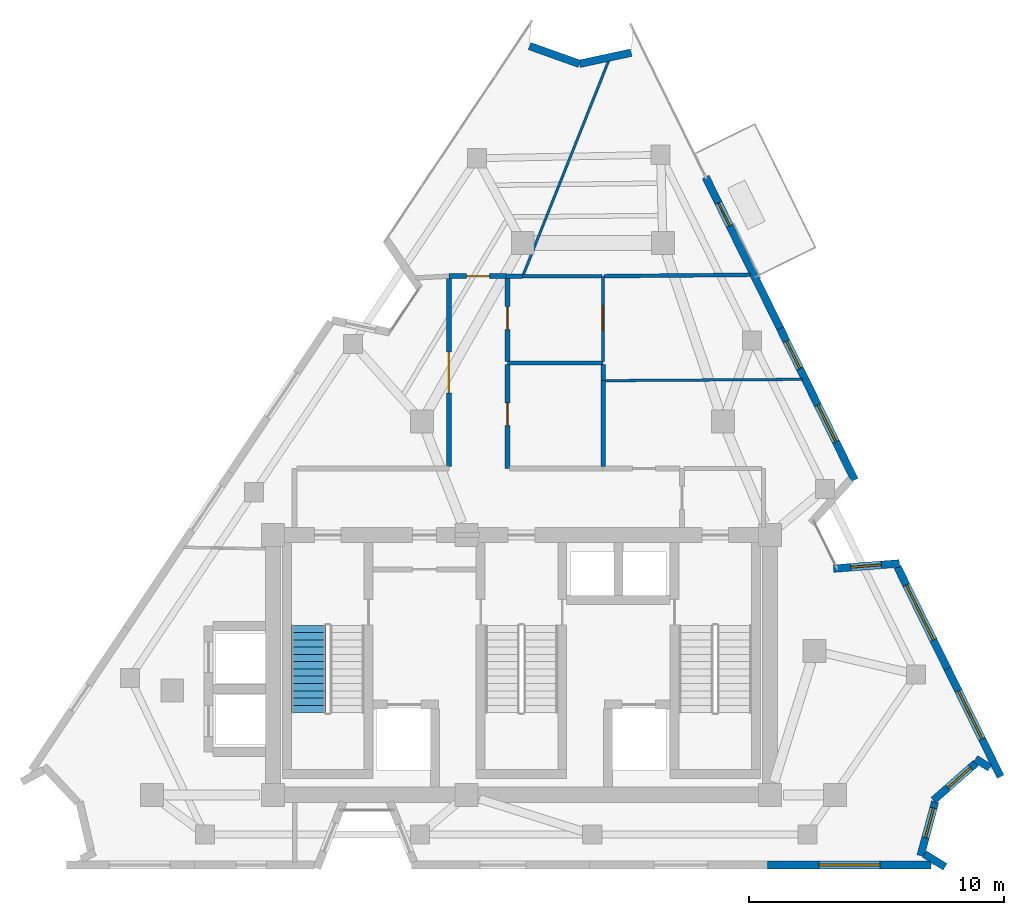
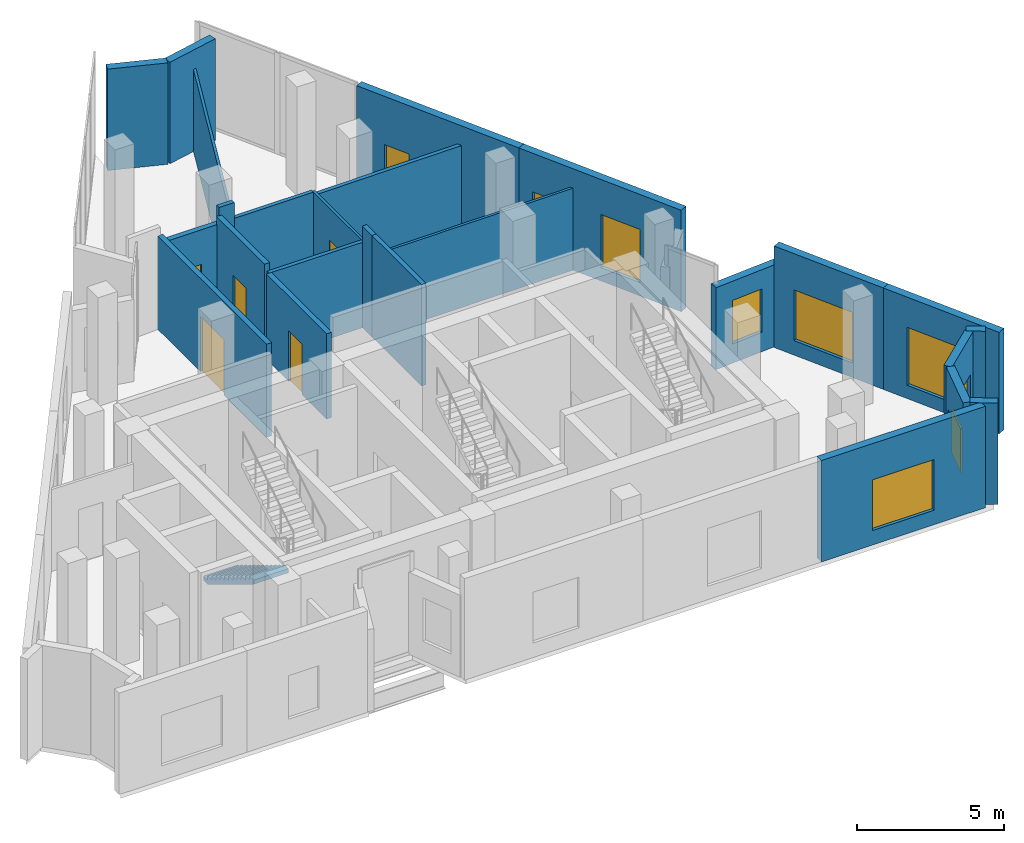
# One storey, part 7 of 9: 25 walls, 8 windows, 6 doors, 1 stair flight, 14 openings, 1 element without a shape of its own.
"""IFC4 building model written with IfcOpenShell, lengths in metres."""

from ifc_helpers import new_model, si_unit, direction, frame, frame_2d, origin, place, context, subcontext, project, spatial, polyline, rectangle, outline, extrude, material, layer, layer_set, type_object, element, fill, aggregate, save


model = new_model("IFC4")

# Units and contexts
model_context = context("Model", 3, precision=1e-05, world=origin(), true_north=direction((0.0, 1.0)))
body_context = subcontext(model_context, "Body", "Model", "MODEL_VIEW")
ifc_project = project(units=[si_unit("LENGTHUNIT", "METRE"), si_unit("AREAUNIT", "SQUARE_METRE"), si_unit("VOLUMEUNIT", "CUBIC_METRE"), si_unit("PLANEANGLEUNIT", "RADIAN"), si_unit("MASSUNIT", "GRAM", prefix="KILO")], contexts=[model_context])

# Site, building, storey
site_placement = place(None, origin())
site = spatial("IfcSite", under=ifc_project, at=site_placement, CompositionType="ELEMENT")
building_placement = place(site_placement, origin())
building = spatial("IfcBuilding", under=site, at=building_placement, Name="Almagre Mirador Tower", CompositionType="ELEMENT")
storey_placement = place(building_placement, frame((0.0, 0.0, 289.5)))
storey = spatial("IfcBuildingStorey", under=building, at=storey_placement, Name="L75", CompositionType="ELEMENT", Elevation=289.5)

# Walls
ifc_material_1 = material(Name="Precast concrete C50/60", Category="concrete")
ifc_layer_1 = layer(ifc_material_1, 0.300048828125)
ifc_layer_set_1 = layer_set([ifc_layer_1], Name="Precast concrete C50/60")
wall_type_1 = type_object("IfcWallType", Name="WAL-EXT-300", PredefinedType="SOLIDWALL", material=ifc_layer_set_1)
wall_1_placement = place(storey_placement, frame((37.616943359375, 33.929931640625, 0.0), z_axis=(0.0, 0.0, 1.0), x_axis=(0.941683396202, -0.336500195123, 0.0)))
element("IfcWall", 1, at=wall_1_placement, inside=storey, type_object=wall_type_1, Name="L75 expressed almagre precast frame wall 03", PredefinedType="SOLIDWALL", context=body_context, shape_type="SweptSolid", body=[
    extrude(rectangle(XDim=2.0771484375, YDim=0.300048828125, at=frame_2d((1.03857421875, 0.0))), origin(), (0.0, 0.0, 1.0), 4.199951171875),
])
wall_2_placement = place(storey_placement, frame((39.572998046875, 33.23095703125, 0.0), z_axis=(0.0, 0.0, 1.0), x_axis=(0.977604114456, 0.210452358975, 0.0)))
element("IfcWall", 2, at=wall_2_placement, inside=storey, type_object=wall_type_1, Name="L75 expressed almagre precast frame wall 04", PredefinedType="SOLIDWALL", context=body_context, shape_type="SweptSolid", body=[
    extrude(rectangle(XDim=2.076416015625, YDim=0.300048828125, at=frame_2d((1.0380859375, 0.0))), origin(), (0.0, 0.0, 1.0), 4.199951171875),
])

# Wall, opening, door
wall_3_placement = place(storey_placement, frame((44.5263671875, 28.79248046875, 0.0), z_axis=(0.0, 0.0, 1.0), x_axis=(0.441321601589, -0.89734900901, 0.0)))
wall_3 = element("IfcWall", 3, at=wall_3_placement, inside=storey, type_object=wall_type_1, Name="L75 expressed almagre precast frame wall 05", PredefinedType="SOLIDWALL", context=body_context, shape_type="SweptSolid", body=[
    extrude(rectangle(XDim=6.6240234375, YDim=0.300048828125, at=frame_2d((3.31201171875, 0.0))), origin(), (0.0, 0.0, 1.0), 4.199951171875),
])
opening_1_placement = place(wall_3_placement, frame((1.134765625, 0.0, 0.0)))
opening_1 = element("IfcOpeningElement", 4, at=opening_1_placement, cuts=wall_3, Name="Opening BD-01", PredefinedType="OPENING", context=body_context, shape_type="SweptSolid", body=[
    extrude(rectangle(XDim=1.0, YDim=2.199951171875, at=frame_2d((0.5, 1.10009765625))), frame((0.0, 0.159902, 0.0), z_axis=(0.0, -1.0, 0.0), x_axis=(1.0, 0.0, 0.0)), (0.0, 0.0, 1.0), 0.320049),
])
ifc_material_2 = material(Name="Black anodized aluminium and laminated glass", Category="aluminium")
door_type_1 = type_object("IfcDoorType", Name="DOR-BAL-1000X2200", OperationType="NOTDEFINED", PredefinedType="DOOR", material=ifc_material_2)
door_1_placement = place(opening_1_placement, origin())
door_1 = element("IfcDoor", 5, at=door_1_placement, inside=storey, type_object=door_type_1, Name="DR-2236 L75 east balcony glazed door 1", OperationType="SINGLE_SWING_LEFT", OverallHeight=2.199951171875, OverallWidth=1.0, PredefinedType="DOOR", context=body_context, shape_type="SweptSolid", body=[
    extrude(rectangle(XDim=1.0, YDim=2.199951171875, at=frame_2d((0.5, 1.10009765625))), frame((0.0, 0.02490234375, 0.0), z_axis=(0.0, -1.0, 0.0), x_axis=(1.0, 0.0, 0.0)), (0.0, 0.0, 1.0), 0.050048828125),
])
fill(opening_1, door_1)

# Wall, openings, windows
wall_4_placement = place(storey_placement, frame((47.44970703125, 22.848388671875, 0.0), z_axis=(0.0, 0.0, 1.0), x_axis=(0.441291922586, -0.897363604711, 0.0)))
wall_4 = element("IfcWall", 6, at=wall_4_placement, inside=storey, type_object=wall_type_1, Name="L75 expressed almagre precast frame wall 06", PredefinedType="SOLIDWALL", context=body_context, shape_type="SweptSolid", body=[
    extrude(rectangle(XDim=6.6240234375, YDim=0.300048828125, at=frame_2d((3.31201171875, 0.0))), origin(), (0.0, 0.0, 1.0), 4.199951171875),
])
opening_2_placement = place(wall_4_placement, frame((0.550048828125, 0.0, 0.800048828125)))
opening_2 = element("IfcOpeningElement", 7, at=opening_2_placement, cuts=wall_4, Name="Opening WN-04", PredefinedType="OPENING", context=body_context, shape_type="SweptSolid", body=[
    extrude(rectangle(XDim=1.199951171875, YDim=1.800048828125, at=frame_2d((0.60009765625, 0.89990234375))), frame((0.0, 0.159902, 0.0), z_axis=(0.0, -1.0, 0.0), x_axis=(1.0, 0.0, 0.0)), (0.0, 0.0, 1.0), 0.320049),
])
opening_3_placement = place(wall_4_placement, frame((3.35009765625, 0.0, 0.550048828125)))
opening_3 = element("IfcOpeningElement", 8, at=opening_3_placement, cuts=wall_4, Name="Opening WN-06", PredefinedType="OPENING", context=body_context, shape_type="SweptSolid", body=[
    extrude(rectangle(XDim=1.60009765625, YDim=2.199951171875, at=frame_2d((0.800048828125, 1.10009765625))), frame((0.0, 0.159902, 0.0), z_axis=(0.0, -1.0, 0.0), x_axis=(1.0, 0.0, 0.0)), (0.0, 0.0, 1.0), 0.320049),
])
ifc_material_3 = material(Name="Dark solar-control laminated hurricane glass", Category="glass")
window_type_1 = type_object("IfcWindowType", Name="WIN-1200X1800", PartitioningType="SINGLE_PANEL", PredefinedType="WINDOW", material=ifc_material_3)
window_1_placement = place(opening_2_placement, origin())
window_1 = element("IfcWindow", 9, at=window_1_placement, inside=storey, type_object=window_type_1, Name="L75 recessed hurricane window L75-MSOM", OverallHeight=1.800048828125, OverallWidth=1.199951171875, PartitioningType="SINGLE_PANEL", PredefinedType="WINDOW", context=body_context, shape_type="SweptSolid", body=[
    extrude(rectangle(XDim=1.199951171875, YDim=1.800048828125, at=frame_2d((0.60009765625, 0.89990234375))), frame((0.0, 0.030029296875, 0.0), z_axis=(0.0, -1.0, 0.0), x_axis=(1.0, 0.0, 0.0)), (0.0, 0.0, 1.0), 0.06005859375),
])
fill(opening_2, window_1)
ifc_material_4 = material(Name="Dark solar-control laminated hurricane glass", Category="glass")
window_type_2 = type_object("IfcWindowType", Name="WIN-1600X2200", PartitioningType="DOUBLE_PANEL_VERTICAL", PredefinedType="WINDOW", material=ifc_material_4)
window_2_placement = place(opening_3_placement, origin())
window_2 = element("IfcWindow", 10, at=window_2_placement, inside=storey, type_object=window_type_2, Name="L75 recessed hurricane window L75-MOFF", OverallHeight=2.199951171875, OverallWidth=1.60009765625, PartitioningType="SINGLE_PANEL", PredefinedType="WINDOW", context=body_context, shape_type="SweptSolid", body=[
    extrude(rectangle(XDim=1.60009765625, YDim=2.199951171875, at=frame_2d((0.800048828125, 1.10009765625))), frame((0.0, 0.030029296875, 0.0), z_axis=(0.0, -1.0, 0.0), x_axis=(1.0, 0.0, 0.0)), (0.0, 0.0, 1.0), 0.06005859375),
])
fill(opening_3, window_2)

# Wall, opening, window
wall_5_placement = place(storey_placement, frame((49.54150390625, 13.427001953125, 0.0), z_axis=(0.0, 0.0, 1.0), x_axis=(0.996900285663, 0.078675411953, 0.0)))
wall_5 = element("IfcWall", 11, at=wall_5_placement, inside=storey, type_object=wall_type_1, Name="L75 expressed almagre precast frame wall 08", PredefinedType="SOLIDWALL", context=body_context, shape_type="SweptSolid", body=[
    extrude(rectangle(XDim=2.59423828125, YDim=0.300048828125, at=frame_2d((1.297119140625, 0.0))), origin(), (0.0, 0.0, 1.0), 3.39599609375),
])
opening_4_placement = place(wall_5_placement, frame((0.675048828125, 0.0, 0.800048828125)))
opening_4 = element("IfcOpeningElement", 12, at=opening_4_placement, cuts=wall_5, Name="Opening WN-04", PredefinedType="OPENING", context=body_context, shape_type="SweptSolid", body=[
    extrude(rectangle(XDim=1.199951171875, YDim=1.800048828125, at=frame_2d((0.60009765625, 0.89990234375))), frame((0.0, 0.159902, 0.0), z_axis=(0.0, -1.0, 0.0), x_axis=(1.0, 0.0, 0.0)), (0.0, 0.0, 1.0), 0.320049),
])
window_3_placement = place(opening_4_placement, origin())
window_3 = element("IfcWindow", 13, at=window_3_placement, inside=storey, type_object=window_type_1, Name="L75 recessed hurricane window L75-MOFF", OverallHeight=1.800048828125, OverallWidth=1.199951171875, PartitioningType="SINGLE_PANEL", PredefinedType="WINDOW", context=body_context, shape_type="SweptSolid", body=[
    extrude(rectangle(XDim=1.199951171875, YDim=1.800048828125, at=frame_2d((0.60009765625, 0.89990234375))), frame((0.0, 0.030029296875, 0.0), z_axis=(0.0, -1.0, 0.0), x_axis=(1.0, 0.0, 0.0)), (0.0, 0.0, 1.0), 0.06005859375),
])
fill(opening_4, window_3)

wall_6_placement = place(storey_placement, frame((52.047607421875, 13.498779296875, 0.0), z_axis=(0.0, 0.0, 1.0), x_axis=(0.441213940505, -0.897401949354, 0.0)))
wall_6 = element("IfcWall", 14, at=wall_6_placement, inside=storey, type_object=wall_type_1, Name="L75 expressed almagre precast frame wall 09", PredefinedType="SOLIDWALL", context=body_context, shape_type="SweptSolid", body=[
    extrude(rectangle(XDim=4.451171875, YDim=0.300048828125, at=frame_2d((2.2255859375, 0.0))), origin(), (0.0, 0.0, 1.0), 4.199951171875),
])
opening_5_placement = place(wall_6_placement, frame((0.800048828125, 0.0, 0.60009765625)))
opening_5 = element("IfcOpeningElement", 15, at=opening_5_placement, cuts=wall_6, Name="Opening WN-02", PredefinedType="OPENING", context=body_context, shape_type="SweptSolid", body=[
    extrude(rectangle(XDim=2.39990234375, YDim=2.10009765625, at=frame_2d((1.199951171875, 1.050048828125))), frame((0.0, 0.159902, 0.0), z_axis=(0.0, -1.0, 0.0), x_axis=(1.0, 0.0, 0.0)), (0.0, 0.0, 1.0), 0.320049),
])
ifc_material_5 = material(Name="Dark solar-control laminated hurricane glass", Category="glass")
window_type_3 = type_object("IfcWindowType", Name="WIN-2400X2100", PartitioningType="TRIPLE_PANEL_VERTICAL", PredefinedType="WINDOW", material=ifc_material_5)
window_4_placement = place(opening_5_placement, origin())
window_4 = element("IfcWindow", 16, at=window_4_placement, inside=storey, type_object=window_type_3, Name="L75 recessed hurricane window L75-MOFF", OverallHeight=2.10009765625, OverallWidth=2.39990234375, PartitioningType="SINGLE_PANEL", PredefinedType="WINDOW", context=body_context, shape_type="SweptSolid", body=[
    extrude(rectangle(XDim=2.39990234375, YDim=2.10009765625, at=frame_2d((1.199951171875, 1.050048828125))), frame((0.0, 0.030029296875, 0.0), z_axis=(0.0, -1.0, 0.0), x_axis=(1.0, 0.0, 0.0)), (0.0, 0.0, 1.0), 0.06005859375),
])
fill(opening_5, window_4)

wall_7_placement = place(storey_placement, frame((54.011474609375, 9.50439453125, 0.0), z_axis=(0.0, 0.0, 1.0), x_axis=(0.44123168194, -0.897393226435, 0.0)))
wall_7 = element("IfcWall", 17, at=wall_7_placement, inside=storey, type_object=wall_type_1, Name="L75 expressed almagre precast frame wall 10", PredefinedType="SOLIDWALL", context=body_context, shape_type="SweptSolid", body=[
    extrude(rectangle(XDim=4.725830078125, YDim=0.300048828125, at=frame_2d((2.36279296875, 0.0))), origin(), (0.0, 0.0, 1.0), 4.199951171875),
])
opening_6_placement = place(wall_7_placement, frame((0.97509765625, 0.0, 0.550048828125)))
opening_6 = element("IfcOpeningElement", 18, at=opening_6_placement, cuts=wall_7, Name="Opening WN-05", PredefinedType="OPENING", context=body_context, shape_type="SweptSolid", body=[
    extrude(rectangle(XDim=2.10009765625, YDim=2.39990234375, at=frame_2d((1.050048828125, 1.199951171875))), frame((0.0, 0.159902, 0.0), z_axis=(0.0, -1.0, 0.0), x_axis=(1.0, 0.0, 0.0)), (0.0, 0.0, 1.0), 0.320049),
])
ifc_material_6 = material(Name="Dark solar-control laminated hurricane glass", Category="glass")
window_type_4 = type_object("IfcWindowType", Name="WIN-2100X2400", PartitioningType="DOUBLE_PANEL_VERTICAL", PredefinedType="WINDOW", material=ifc_material_6)
window_5_placement = place(opening_6_placement, origin())
window_5 = element("IfcWindow", 19, at=window_5_placement, inside=storey, type_object=window_type_4, Name="L75 recessed hurricane window L75-MOFF", OverallHeight=2.39990234375, OverallWidth=2.10009765625, PartitioningType="SINGLE_PANEL", PredefinedType="WINDOW", context=body_context, shape_type="SweptSolid", body=[
    extrude(rectangle(XDim=2.10009765625, YDim=2.39990234375, at=frame_2d((1.050048828125, 1.199951171875))), frame((0.0, 0.030029296875, 0.0), z_axis=(0.0, -1.0, 0.0), x_axis=(1.0, 0.0, 0.0)), (0.0, 0.0, 1.0), 0.06005859375),
])
fill(opening_6, window_5)

# Wall
wall_8_placement = place(storey_placement, frame((55.67431640625, 5.61376953125, 0.0), z_axis=(0.0, 0.0, 1.0), x_axis=(-0.848455116915, 0.529267337535, 0.0)))
element("IfcWall", 20, at=wall_8_placement, inside=storey, type_object=wall_type_1, Name="L75 expressed almagre precast frame wall 11", PredefinedType="SOLIDWALL", context=body_context, shape_type="SweptSolid", body=[
    extrude(rectangle(XDim=0.66015625, YDim=0.300048828125, at=frame_2d((0.330078125, 0.0))), origin(), (0.0, 0.0, 1.0), 4.199951171875),
])

# Wall, opening, window
wall_9_placement = place(storey_placement, frame((55.13525390625, 5.80322265625, 0.0), z_axis=(0.0, 0.0, 1.0), x_axis=(-0.751744762281, -0.659454177622, 0.0)))
wall_9 = element("IfcWall", 21, at=wall_9_placement, inside=storey, type_object=wall_type_1, Name="L75 expressed almagre precast frame wall 12", PredefinedType="SOLIDWALL", context=body_context, shape_type="SweptSolid", body=[
    extrude(rectangle(XDim=2.219482421875, YDim=0.300048828125, at=frame_2d((1.10986328125, 0.0))), origin(), (0.0, 0.0, 1.0), 4.199951171875),
])
opening_7_placement = place(wall_9_placement, frame((0.280029296875, 0.0, 0.800048828125)))
opening_7 = element("IfcOpeningElement", 22, at=opening_7_placement, cuts=wall_9, Name="Opening WN-04", PredefinedType="OPENING", context=body_context, shape_type="SweptSolid", body=[
    extrude(rectangle(XDim=1.199951171875, YDim=1.800048828125, at=frame_2d((0.60009765625, 0.89990234375))), frame((0.0, 0.159902, 0.0), z_axis=(0.0, -1.0, 0.0), x_axis=(1.0, 0.0, 0.0)), (0.0, 0.0, 1.0), 0.320049),
])
window_6_placement = place(opening_7_placement, origin())
window_6 = element("IfcWindow", 23, at=window_6_placement, inside=storey, type_object=window_type_1, Name="L75 recessed hurricane window L75-MOFF", OverallHeight=1.800048828125, OverallWidth=1.199951171875, PartitioningType="SINGLE_PANEL", PredefinedType="WINDOW", context=body_context, shape_type="SweptSolid", body=[
    extrude(rectangle(XDim=1.199951171875, YDim=1.800048828125, at=frame_2d((0.60009765625, 0.89990234375))), frame((0.0, 0.030029296875, 0.0), z_axis=(0.0, -1.0, 0.0), x_axis=(1.0, 0.0, 0.0)), (0.0, 0.0, 1.0), 0.06005859375),
])
fill(opening_7, window_6)

wall_10_placement = place(storey_placement, frame((53.532958984375, 4.287109375, 0.0), z_axis=(0.0, 0.0, 1.0), x_axis=(-0.259818176463, -0.965657555855, 0.0)))
wall_10 = element("IfcWall", 24, at=wall_10_placement, inside=storey, type_object=wall_type_1, Name="L75 expressed almagre precast frame wall 13", PredefinedType="SOLIDWALL", context=body_context, shape_type="SweptSolid", body=[
    extrude(rectangle(XDim=2.19873046875, YDim=0.300048828125, at=frame_2d((1.099365234375, 0.0))), origin(), (0.0, 0.0, 1.0), 4.199951171875),
])
opening_8_placement = place(wall_10_placement, frame((0.260009765625, 0.0, 0.800048828125)))
opening_8 = element("IfcOpeningElement", 25, at=opening_8_placement, cuts=wall_10, Name="Opening WN-04", PredefinedType="OPENING", context=body_context, shape_type="SweptSolid", body=[
    extrude(rectangle(XDim=1.199951171875, YDim=1.800048828125, at=frame_2d((0.60009765625, 0.89990234375))), frame((0.0, 0.159902, 0.0), z_axis=(0.0, -1.0, 0.0), x_axis=(1.0, 0.0, 0.0)), (0.0, 0.0, 1.0), 0.320049),
])
window_7_placement = place(opening_8_placement, origin())
window_7 = element("IfcWindow", 26, at=window_7_placement, inside=storey, type_object=window_type_1, Name="L75 recessed hurricane window L75-MOFF", OverallHeight=1.800048828125, OverallWidth=1.199951171875, PartitioningType="SINGLE_PANEL", PredefinedType="WINDOW", context=body_context, shape_type="SweptSolid", body=[
    extrude(rectangle(XDim=1.199951171875, YDim=1.800048828125, at=frame_2d((0.60009765625, 0.89990234375))), frame((0.0, 0.030029296875, 0.0), z_axis=(0.0, -1.0, 0.0), x_axis=(1.0, 0.0, 0.0)), (0.0, 0.0, 1.0), 0.06005859375),
])
fill(opening_8, window_7)

# Wall
wall_11_placement = place(storey_placement, frame((53.1083984375, 2.23046875, 0.0), z_axis=(0.0, 0.0, 1.0), x_axis=(0.849031111495, -0.528342854322, 0.0)))
element("IfcWall", 27, at=wall_11_placement, inside=storey, type_object=wall_type_1, Name="L75 expressed almagre precast frame wall 14", PredefinedType="SOLIDWALL", context=body_context, shape_type="SweptSolid", body=[
    extrude(rectangle(XDim=0.95458984375, YDim=0.300048828125, at=frame_2d((0.477294921875, 0.0))), origin(), (0.0, 0.0, 1.0), 4.199951171875),
])

# Wall, opening, window
wall_12_placement = place(storey_placement, frame((53.375, 1.800048828125, 0.0), z_axis=(0.0, 0.0, 1.0), x_axis=(-1.0, 0.0, 0.0)))
wall_12 = element("IfcWall", 28, at=wall_12_placement, inside=storey, type_object=wall_type_1, Name="L75 expressed almagre precast frame wall 15", PredefinedType="SOLIDWALL", context=body_context, shape_type="SweptSolid", body=[
    extrude(rectangle(XDim=6.4189453125, YDim=0.300048828125, at=frame_2d((3.20947265625, 0.0))), origin(), (0.0, 0.0, 1.0), 4.199951171875),
])
opening_9_placement = place(wall_12_placement, frame((2.010009765625, 0.0, 0.60009765625)))
opening_9 = element("IfcOpeningElement", 29, at=opening_9_placement, cuts=wall_12, Name="Opening WN-02", PredefinedType="OPENING", context=body_context, shape_type="SweptSolid", body=[
    extrude(rectangle(XDim=2.39990234375, YDim=2.10009765625, at=frame_2d((1.199951171875, 1.050048828125))), frame((0.0, 0.159902, 0.0), z_axis=(0.0, -1.0, 0.0), x_axis=(1.0, 0.0, 0.0)), (0.0, 0.0, 1.0), 0.320049),
])
window_8_placement = place(opening_9_placement, origin())
window_8 = element("IfcWindow", 30, at=window_8_placement, inside=storey, type_object=window_type_3, Name="L75 recessed hurricane window L75-MOFF", OverallHeight=2.10009765625, OverallWidth=2.39990234375, PartitioningType="SINGLE_PANEL", PredefinedType="WINDOW", context=body_context, shape_type="SweptSolid", body=[
    extrude(rectangle(XDim=2.39990234375, YDim=2.10009765625, at=frame_2d((1.199951171875, 1.050048828125))), frame((0.0, 0.030029296875, 0.0), z_axis=(0.0, -1.0, 0.0), x_axis=(1.0, 0.0, 0.0)), (0.0, 0.0, 1.0), 0.06005859375),
])
fill(opening_9, window_8)

# Wall, opening, door
ifc_material_7 = material(Name="Gypsum acoustic stud partition", Category="other")
ifc_layer_2 = layer(ifc_material_7, 0.10009765625)
ifc_layer_set_2 = layer_set([ifc_layer_2], Name="Gypsum acoustic stud partition")
wall_type_2 = type_object("IfcWallType", Name="WAL-PRT-100-CLS", PredefinedType="PARTITIONING", material=ifc_layer_set_2)
wall_13_placement = place(storey_placement, frame((40.5, 21.56005859375, 0.0), z_axis=(0.0, 0.0, 1.0), x_axis=(0.0, 1.0, 0.0)))
wall_13 = element("IfcWall", 31, at=wall_13_placement, inside=storey, type_object=wall_type_2, Name="L75 interior partition 005", PredefinedType="PARTITIONING", context=body_context, shape_type="SweptSolid", body=[
    extrude(rectangle(XDim=3.33984375, YDim=0.10009765625, at=frame_2d((1.669921875, 0.0))), origin(), (0.0, 0.0, 1.0), 3.534912109375),
])
opening_10_placement = place(wall_13_placement, frame((1.22216796875, 0.0, 0.0)))
opening_10 = element("IfcOpeningElement", 32, at=opening_10_placement, cuts=wall_13, Name="Opening UD-01", PredefinedType="OPENING", context=body_context, shape_type="SweptSolid", body=[
    extrude(rectangle(XDim=0.949951171875, YDim=2.199951171875, at=frame_2d((0.47509765625, 1.10009765625))), frame((0.0, 0.060049, 0.0), z_axis=(0.0, -1.0, 0.0), x_axis=(1.0, 0.0, 0.0)), (0.0, 0.0, 1.0), 0.120098),
])
ifc_material_8 = material(Name="Solid American walnut timber", Category="wood")
door_type_2 = type_object("IfcDoorType", Name="DOR-UNR-950X2200", OperationType="NOTDEFINED", PredefinedType="DOOR", material=ifc_material_8)
door_2_placement = place(opening_10_placement, origin())
door_2 = element("IfcDoor", 33, at=door_2_placement, inside=storey, type_object=door_type_2, Name="DR-2249 L75 interior door L75-MCAF to L75-MSOM", OperationType="SINGLE_SWING_RIGHT", OverallHeight=2.199951171875, OverallWidth=0.949951171875, PredefinedType="DOOR", context=body_context, shape_type="SweptSolid", body=[
    extrude(rectangle(XDim=0.949951171875, YDim=2.199951171875, at=frame_2d((0.47509765625, 1.10009765625))), frame((0.0, 0.02490234375, 0.0), z_axis=(0.0, -1.0, 0.0), x_axis=(1.0, 0.0, 0.0)), (0.0, 0.0, 1.0), 0.050048828125),
])
fill(opening_10, door_2)

# Walls
wall_14_placement = place(storey_placement, frame((40.572509765625, 20.80029296875, 0.0), z_axis=(0.0, 0.0, 1.0), x_axis=(0.999976919028, 0.006794218946, 0.0)))
element("IfcWall", 34, at=wall_14_placement, inside=storey, type_object=wall_type_2, Name="L75 interior partition 014", PredefinedType="PARTITIONING", context=body_context, shape_type="SweptSolid", body=[
    extrude(rectangle(XDim=7.76171875, YDim=0.10009765625, at=frame_2d((3.880859375, 0.0))), origin(), (0.0, 0.0, 1.0), 3.39111328125),
])
wall_15_placement = place(storey_placement, frame((37.376953125, 24.96728515625, 0.0), z_axis=(0.0, 0.0, 1.0), x_axis=(0.370459541778, 0.928848603329, 0.0)))
element("IfcWall", 35, at=wall_15_placement, inside=storey, type_object=wall_type_2, Name="L75 interior partition 017", PredefinedType="PARTITIONING", context=body_context, shape_type="SweptSolid", body=[
    extrude(rectangle(XDim=9.04296875, YDim=0.10009765625, at=frame_2d((4.521484375, 0.0))), origin(), (0.0, 0.0, 1.0), 3.39111328125),
])
ifc_material_9 = material(Name="Gypsum acoustic stud partition", Category="other")
ifc_layer_3 = layer(ifc_material_9, 0.14990234375)
ifc_layer_set_3 = layer_set([ifc_layer_3], Name="Gypsum acoustic stud partition")
wall_type_3 = type_object("IfcWallType", Name="WAL-PRT-150-STD", PredefinedType="PARTITIONING", material=ifc_layer_set_3)
wall_16_placement = place(storey_placement, frame((36.75, 21.5, 0.0), z_axis=(0.0, 0.0, 1.0), x_axis=(1.0, 0.0, 0.0)))
element("IfcWall", 36, at=wall_16_placement, inside=storey, type_object=wall_type_3, Name="L75 interior partition 004", PredefinedType="PARTITIONING", context=body_context, shape_type="SweptSolid", body=[
    extrude(rectangle(XDim=3.75, YDim=0.14990234375, at=frame_2d((1.875, 0.0))), origin(), (0.0, 0.0, 1.0), 3.534912109375),
])
wall_17_placement = place(storey_placement, frame((40.465087890625, 24.89990234375, 0.0), z_axis=(0.0, 0.0, 1.0), x_axis=(-1.0, 0.0, 0.0)))
element("IfcWall", 37, at=wall_17_placement, inside=storey, type_object=wall_type_3, Name="L75 interior partition 007", PredefinedType="PARTITIONING", context=body_context, shape_type="SweptSolid", body=[
    extrude(rectangle(XDim=3.114990234375, YDim=0.14990234375, at=frame_2d((1.5576171875, 0.0))), origin(), (0.0, 0.0, 1.0), 3.534912109375),
])
wall_18_placement = place(storey_placement, frame((46.281982421875, 24.9541015625, 0.0), z_axis=(0.0, 0.0, 1.0), x_axis=(-0.999955933057, -0.009387861564, 0.0)))
element("IfcWall", 38, at=wall_18_placement, inside=storey, type_object=wall_type_3, Name="L75 interior partition 013", PredefinedType="PARTITIONING", context=body_context, shape_type="SweptSolid", body=[
    extrude(rectangle(XDim=5.747314453125, YDim=0.14990234375, at=frame_2d((2.87353515625, 0.0))), origin(), (0.0, 0.0, 1.0), 3.39111328125),
])
ifc_material_10 = material(Name="Gypsum acoustic stud partition", Category="other")
ifc_layer_4 = layer(ifc_material_10, 0.175048828125)
ifc_layer_set_4 = layer_set([ifc_layer_4], Name="Gypsum acoustic stud partition")
wall_type_4 = type_object("IfcWallType", Name="WAL-PRT-175-AC", PredefinedType="PARTITIONING", material=ifc_layer_set_4)
wall_19_placement = place(storey_placement, frame((37.35009765625, 24.89990234375, 0.0), z_axis=(0.0, 0.0, 1.0), x_axis=(-1.0, 0.0, 0.0)))
element("IfcWall", 39, at=wall_19_placement, inside=storey, type_object=wall_type_4, Name="L75 interior partition 006", PredefinedType="PARTITIONING", context=body_context, shape_type="SweptSolid", body=[
    extrude(rectangle(XDim=0.60009765625, YDim=0.175048828125, at=frame_2d((0.300048828125, 0.0))), origin(), (0.0, 0.0, 1.0), 4.199951171875),
])
wall_20_placement = place(storey_placement, frame((40.5, 20.800048828125, 0.0), z_axis=(0.0, 0.0, 1.0), x_axis=(0.0, 1.0, 0.0)))
element("IfcWall", 40, at=wall_20_placement, inside=storey, type_object=wall_type_4, Name="L75 interior partition 009", PredefinedType="PARTITIONING", context=body_context, shape_type="SweptSolid", body=[
    extrude(rectangle(XDim=0.639892578125, YDim=0.175048828125, at=frame_2d((0.31982421875, 0.0))), origin(), (0.0, 0.0, 1.0), 4.199951171875),
])
wall_21_placement = place(storey_placement, frame((40.5, 17.43505859375, 0.0), z_axis=(0.0, 0.0, 1.0), x_axis=(0.0, 1.0, 0.0)))
element("IfcWall", 41, at=wall_21_placement, inside=storey, type_object=wall_type_4, Name="L75 interior partition 012", PredefinedType="PARTITIONING", context=body_context, shape_type="SweptSolid", body=[
    extrude(rectangle(XDim=3.364990234375, YDim=0.175048828125, at=frame_2d((1.6826171875, 0.0))), origin(), (0.0, 0.0, 1.0), 4.199951171875),
])

# Wall, opening, door
ifc_material_11 = material(Name="Gypsum acoustic stud partition", Category="other")
ifc_layer_5 = layer(ifc_material_11, 0.199951171875)
ifc_layer_set_5 = layer_set([ifc_layer_5], Name="Gypsum acoustic stud partition")
wall_type_5 = type_object("IfcWallType", Name="WAL-PRT-200-EI60", PredefinedType="PARTITIONING", material=ifc_layer_set_5)
wall_22_placement = place(storey_placement, frame((36.75, 24.827392578125, 0.0), z_axis=(0.0, 0.0, 1.0), x_axis=(0.0, -1.0, 0.0)))
wall_22 = element("IfcWall", 42, at=wall_22_placement, inside=storey, type_object=wall_type_5, Name="L75 interior partition 008", PredefinedType="PARTITIONING", context=body_context, shape_type="SweptSolid", body=[
    extrude(rectangle(XDim=3.267333984375, YDim=0.199951171875, at=frame_2d((1.6337890625, 0.0))), origin(), (0.0, 0.0, 1.0), 3.860107421875),
])
opening_11_placement = place(wall_22_placement, frame((1.119140625, 0.0, 0.0)))
opening_11 = element("IfcOpeningElement", 43, at=opening_11_placement, cuts=wall_22, Name="Opening ID-03", PredefinedType="OPENING", context=body_context, shape_type="SweptSolid", body=[
    extrude(rectangle(XDim=0.89990234375, YDim=2.10009765625, at=frame_2d((0.449951171875, 1.050048828125))), frame((0.0, 0.110098, 0.0), z_axis=(0.0, -1.0, 0.0), x_axis=(1.0, 0.0, 0.0)), (0.0, 0.0, 1.0), 0.219951),
])
ifc_material_12 = material(Name="Fire-rated hollow steel", Category="steel")
door_type_3 = type_object("IfcDoorType", Name="DOR-FD60-900X2100", OperationType="NOTDEFINED", PredefinedType="DOOR", material=ifc_material_12)
door_3_placement = place(opening_11_placement, origin())
door_3 = element("IfcDoor", 44, at=door_3_placement, inside=storey, type_object=door_type_3, Name="DR-2243 L75 interior door L75-MCAF to L75-MCOR", OperationType="SINGLE_SWING_RIGHT", OverallHeight=2.10009765625, OverallWidth=0.89990234375, PredefinedType="DOOR", context=body_context, shape_type="SweptSolid", body=[
    extrude(rectangle(XDim=0.89990234375, YDim=2.10009765625, at=frame_2d((0.449951171875, 1.050048828125))), frame((0.0, 0.02490234375, 0.0), z_axis=(0.0, -1.0, 0.0), x_axis=(1.0, 0.0, 0.0)), (0.0, 0.0, 1.0), 0.050048828125),
])
fill(opening_11, door_3)

wall_23_placement = place(storey_placement, frame((36.75, 21.43994140625, 0.0), z_axis=(0.0, 0.0, 1.0), x_axis=(0.0, -1.0, 0.0)))
wall_23 = element("IfcWall", 45, at=wall_23_placement, inside=storey, type_object=wall_type_5, Name="L75 interior partition 010", PredefinedType="PARTITIONING", context=body_context, shape_type="SweptSolid", body=[
    extrude(rectangle(XDim=4.08984375, YDim=0.199951171875, at=frame_2d((2.044921875, 0.0))), origin(), (0.0, 0.0, 1.0), 3.534912109375),
])
opening_12_placement = place(wall_23_placement, frame((1.505615234375, 0.0, 0.0)))
opening_12 = element("IfcOpeningElement", 46, at=opening_12_placement, cuts=wall_23, Name="Opening ID-03", PredefinedType="OPENING", context=body_context, shape_type="SweptSolid", body=[
    extrude(rectangle(XDim=0.89990234375, YDim=2.10009765625, at=frame_2d((0.449951171875, 1.050048828125))), frame((0.0, 0.110098, 0.0), z_axis=(0.0, -1.0, 0.0), x_axis=(1.0, 0.0, 0.0)), (0.0, 0.0, 1.0), 0.219951),
])
door_4_placement = place(opening_12_placement, origin())
door_4 = element("IfcDoor", 47, at=door_4_placement, inside=storey, type_object=door_type_3, Name="DR-2245 L75 interior door L75-MLEC to L75-MCOR", OperationType="SINGLE_SWING_RIGHT", OverallHeight=2.10009765625, OverallWidth=0.89990234375, PredefinedType="DOOR", context=body_context, shape_type="SweptSolid", body=[
    extrude(rectangle(XDim=0.89990234375, YDim=2.10009765625, at=frame_2d((0.449951171875, 1.050048828125))), frame((0.0, 0.02490234375, 0.0), z_axis=(0.0, -1.0, 0.0), x_axis=(1.0, 0.0, 0.0)), (0.0, 0.0, 1.0), 0.050048828125),
])
fill(opening_12, door_4)

wall_24_placement = place(storey_placement, frame((34.449951171875, 24.89990234375, 0.0), z_axis=(0.0, 0.0, 1.0), x_axis=(1.0, 0.0, 0.0)))
wall_24 = element("IfcWall", 48, at=wall_24_placement, inside=storey, type_object=wall_type_5, Name="L75 interior partition 019", PredefinedType="PARTITIONING", context=body_context, shape_type="SweptSolid", body=[
    extrude(rectangle(XDim=2.28759765625, YDim=0.199951171875, at=frame_2d((1.143798828125, 0.0))), origin(), (0.0, 0.0, 1.0), 3.534912109375),
])
opening_13_placement = place(wall_24_placement, frame((0.699951171875, 0.0, 0.0)))
opening_13 = element("IfcOpeningElement", 49, at=opening_13_placement, cuts=wall_24, Name="Opening ID-03", PredefinedType="OPENING", context=body_context, shape_type="SweptSolid", body=[
    extrude(rectangle(XDim=0.89990234375, YDim=2.10009765625, at=frame_2d((0.449951171875, 1.050048828125))), frame((0.0, 0.110098, 0.0), z_axis=(0.0, -1.0, 0.0), x_axis=(1.0, 0.0, 0.0)), (0.0, 0.0, 1.0), 0.219951),
])
door_5_placement = place(opening_13_placement, origin())
door_5 = element("IfcDoor", 50, at=door_5_placement, inside=storey, type_object=door_type_3, Name="DR-2244 L75 interior door L75-MDIN to L75-MCOR", OperationType="SINGLE_SWING_LEFT", OverallHeight=2.10009765625, OverallWidth=0.89990234375, PredefinedType="DOOR", context=body_context, shape_type="SweptSolid", body=[
    extrude(rectangle(XDim=0.89990234375, YDim=2.10009765625, at=frame_2d((0.449951171875, 1.050048828125))), frame((0.0, 0.02490234375, 0.0), z_axis=(0.0, -1.0, 0.0), x_axis=(1.0, 0.0, 0.0)), (0.0, 0.0, 1.0), 0.050048828125),
])
fill(opening_13, door_5)

wall_25_placement = place(storey_placement, frame((34.449951171875, 17.43505859375, 0.0), z_axis=(0.0, 0.0, 1.0), x_axis=(0.0, 1.0, 0.0)))
wall_25 = element("IfcWall", 51, at=wall_25_placement, inside=storey, type_object=wall_type_5, Name="L75 interior partition 022", PredefinedType="PARTITIONING", context=body_context, shape_type="SweptSolid", body=[
    extrude(rectangle(XDim=7.392333984375, YDim=0.199951171875, at=frame_2d((3.6962890625, 0.0))), origin(), (0.0, 0.0, 1.0), 3.860107421875),
])
opening_14_placement = place(wall_25_placement, frame((2.889892578125, 0.0, 0.0)))
opening_14 = element("IfcOpeningElement", 52, at=opening_14_placement, cuts=wall_25, Name="Opening ID-05", PredefinedType="OPENING", context=body_context, shape_type="SweptSolid", body=[
    extrude(rectangle(XDim=1.60009765625, YDim=2.300048828125, at=frame_2d((0.800048828125, 1.14990234375))), frame((0.0, 0.110098, 0.0), z_axis=(0.0, -1.0, 0.0), x_axis=(1.0, 0.0, 0.0)), (0.0, 0.0, 1.0), 0.219951),
])
ifc_material_13 = material(Name="Fire-rated acoustic timber", Category="wood")
door_type_4 = type_object("IfcDoorType", Name="DOR-FD60-1600X2300", OperationType="DOUBLE_DOOR_SINGLE_SWING", PredefinedType="DOOR", material=ifc_material_13)
door_6_placement = place(opening_14_placement, origin())
door_6 = element("IfcDoor", 53, at=door_6_placement, inside=storey, type_object=door_type_4, Name="DR-2247 L75 interior door L75-MSTD to L75-MCOR", OperationType="DOUBLE_DOOR_SINGLE_SWING", OverallHeight=2.300048828125, OverallWidth=1.60009765625, PredefinedType="DOOR", context=body_context, shape_type="SweptSolid", body=[
    extrude(rectangle(XDim=1.60009765625, YDim=2.300048828125, at=frame_2d((0.800048828125, 1.14990234375))), frame((0.0, 0.02490234375, 0.0), z_axis=(0.0, -1.0, 0.0), x_axis=(1.0, 0.0, 0.0)), (0.0, 0.0, 1.0), 0.050048828125),
])
fill(opening_14, door_6)

# Stair, stair flight
ifc_material_14 = material(Name="Concrete C45/55", Category="concrete")
stair_type = type_object("IfcStairType", Name="STR-DL-4500", PredefinedType="HALF_TURN_STAIR", material=ifc_material_14)
stair_placement = place(storey_placement, origin())
stair = element("IfcStair", 54, at=stair_placement, inside=storey, type_object=stair_type, Name="L75 Protected exit stair ST-1", PredefinedType="HALF_TURN_STAIR")
ifc_material_15 = material(Name="Concrete C45/55", Category="concrete")
stair_flight_type = type_object("IfcStairFlightType", Name="FLT-DL-4500", PredefinedType="STRAIGHT", material=ifc_material_15)
stair_flight_placement = place(storey_placement, frame((28.949951171875, 11.199951171875, 0.0), z_axis=(0.0, 0.0, 1.0), x_axis=(0.0, -1.0, 0.0)))
stair_flight = element("IfcStairFlight", 55, at=stair_flight_placement, type_object=stair_flight_type, Name="ST-1 flight 1", NumberOfRisers=13, NumberOfTreads=12, PredefinedType="STRAIGHT", RiserHeight=0.173076923, TreadLength=0.285, context=body_context, shape_type="SweptSolid", body=[
    extrude(outline(polyline([(0.0, 0.0), (0.0, 0.173095703125), (0.284912109375, 0.173095703125), (0.284912109375, 0.34619140625), (0.570068359375, 0.34619140625), (0.570068359375, 0.519287109375), (0.85498046875, 0.519287109375), (0.85498046875, 0.6923828125), (1.139892578125, 0.6923828125), (1.139892578125, 0.865478515625), (1.425048828125, 0.865478515625), (1.425048828125, 1.03857421875), (1.7099609375, 1.03857421875), (1.7099609375, 1.21142578125), (1.9951171875, 1.21142578125), (1.9951171875, 1.384521484375), (2.280029296875, 1.384521484375), (2.280029296875, 1.5576171875), (2.56494140625, 1.5576171875), (2.56494140625, 1.730712890625), (2.85009765625, 1.730712890625), (2.85009765625, 1.90380859375), (3.135009765625, 1.90380859375), (3.135009765625, 2.076904296875), (3.419921875, 2.076904296875), (3.419921875, 2.25), (3.419921875, 1.901611328125), (0.288818359375, 0.0), (0.0, 0.0)])), frame((0.0, 0.675048828125, 0.0), z_axis=(0.0, -1.0, 0.0), x_axis=(1.0, 0.0, 0.0)), (0.0, 0.0, 1.0), 1.35009765625),
])
aggregate(stair, [stair_flight])

save(model, "model.ifc")
